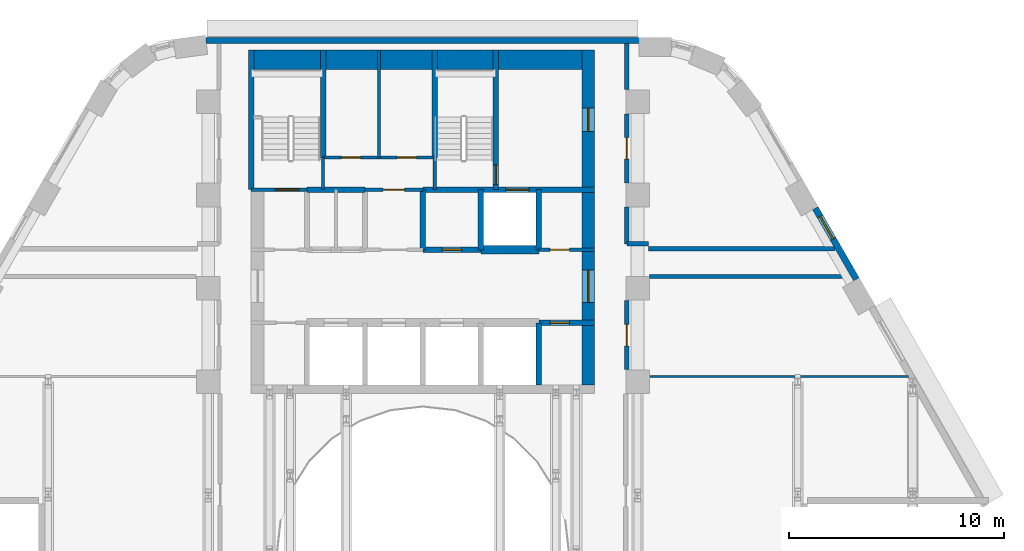
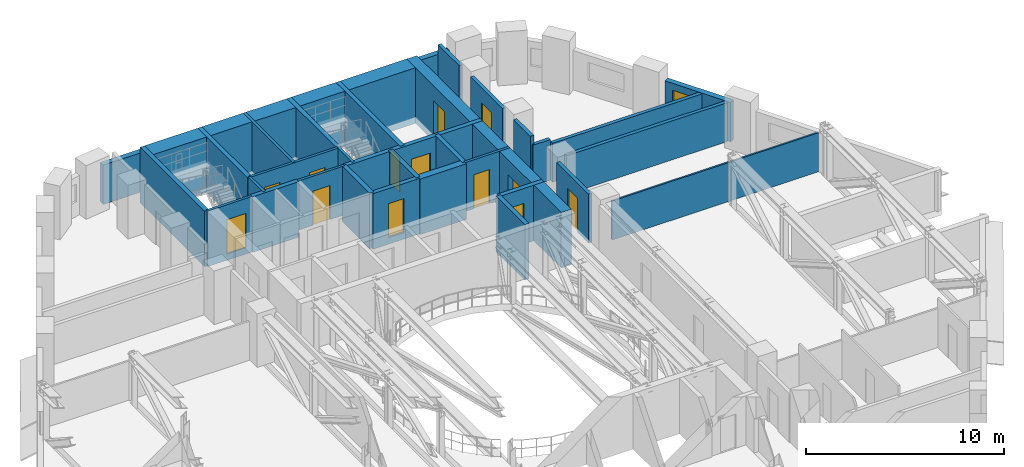
# One storey, part 10 of 18: 32 walls, 13 doors, 1 window, 14 openings.
"""IFC4 building model written with IfcOpenShell, lengths in metres."""

import ifcopenshell
import ifcopenshell.guid

model = None  # the IFC model being written
_history = None  # IfcOwnerHistory: only IFC2X3 demands one
_inside = {}  # id of a spatial element -> (the spatial element, [elements in it])
_under = {}  # id of a project, library or spatial element -> (it, [spatial elements below it])
_declared = {}  # id of a project -> (the project, [libraries it declares])
_typed = {}  # id of a type object -> (the type object, [elements of that type])
_made_of = {}  # id of a material, layer set ... -> (it, [elements and type objects made of it])


def new_model(schema):
    """Start an empty IFC model of exactly this schema.

    Asked for "IFC4X3", IfcOpenShell would pick the latest addendum, in which some entities
    have other attributes; the version numbers below select the first issue.
    IFC2X3 requires an IfcOwnerHistory on every rooted entity: one is made here for all.
    """
    global model, _history
    if schema == "IFC4X3":
        model = ifcopenshell.file(schema_version=(4, 3, 0, 0))
    else:
        model = ifcopenshell.file(schema=schema)
    _inside.clear()
    _under.clear()
    _declared.clear()
    _typed.clear()
    _made_of.clear()
    _history = None
    if model.schema == "IFC2X3":
        org = make("IfcOrganization", Name="unknown")
        user = make(
            "IfcPersonAndOrganization",
            ThePerson=make("IfcPerson", FamilyName="unknown"),
            TheOrganization=org,
        )
        app = make(
            "IfcApplication",
            ApplicationDeveloper=org,
            Version="unknown",
            ApplicationFullName="unknown",
            ApplicationIdentifier="unknown",
        )
        _history = make(
            "IfcOwnerHistory",
            OwningUser=user,
            OwningApplication=app,
            ChangeAction="ADDED",
            CreationDate=0,
        )
    return model


def make(cls, **values):
    """One entity of the class cls with the attributes given. An attribute that is None is left unset."""
    return model.create_entity(
        cls, **{name: value for name, value in values.items() if value is not None}
    )


def rooted(cls, **values):
    """An entity with a GlobalId (a new one), such as an element, a storey or a relation."""
    return make(cls, GlobalId=ifcopenshell.guid.new(), OwnerHistory=_history, **values)


def si_unit(unit_type, name, prefix=None):
    """IfcSIUnit, for example si_unit("LENGTHUNIT", "METRE", prefix="MILLI")."""
    return make("IfcSIUnit", UnitType=unit_type, Prefix=prefix, Name=name)


def assignment(units):
    """IfcUnitAssignment: the units of a project."""
    return None if units is None else make("IfcUnitAssignment", Units=units)


def point(xyz):
    """IfcCartesianPoint."""
    return None if xyz is None else make("IfcCartesianPoint", Coordinates=xyz)


def direction(xyz):
    """IfcDirection."""
    return None if xyz is None else make("IfcDirection", DirectionRatios=xyz)


def frame(location, z_axis=None, x_axis=None):
    """IfcAxis2Placement3D, a coordinate frame: its origin and axes. An axis left out is left unset."""
    return make(
        "IfcAxis2Placement3D",
        Location=point(location),
        Axis=direction(z_axis),
        RefDirection=direction(x_axis),
    )


def frame_2d(location, x_axis=None):
    """IfcAxis2Placement2D, a coordinate frame in the plane: its origin and x axis."""
    return make(
        "IfcAxis2Placement2D", Location=point(location), RefDirection=direction(x_axis)
    )


def origin():
    """The frame at (0, 0, 0) with its axes left unset."""
    return frame((0.0, 0.0, 0.0))


def place(relative_to, where):
    """IfcLocalPlacement: puts the frame where relative to a parent placement (None: the world)."""
    return make(
        "IfcLocalPlacement", PlacementRelTo=relative_to, RelativePlacement=where
    )


def context(
    kind, dimensions, precision=None, world=None, true_north=None, identifier=None
):
    """IfcGeometricRepresentationContext, for example the 3D "Model" context."""
    return make(
        "IfcGeometricRepresentationContext",
        ContextIdentifier=identifier,
        ContextType=kind,
        CoordinateSpaceDimension=dimensions,
        Precision=precision,
        WorldCoordinateSystem=world,
        TrueNorth=true_north,
    )


def subcontext(parent, identifier, kind, view, scale=None):
    """IfcGeometricRepresentationSubContext, for example "Body" below "Model"."""
    return make(
        "IfcGeometricRepresentationSubContext",
        ContextIdentifier=identifier,
        ContextType=kind,
        ParentContext=parent,
        TargetScale=scale,
        TargetView=view,
    )


def project(units=None, contexts=None):
    """IfcProject with its units and contexts."""
    return rooted(
        "IfcProject",
        Name="project",
        RepresentationContexts=contexts,
        UnitsInContext=assignment(units),
    )


def spatial(cls, under=None, at=None, **own):
    """A site, building, storey or space (cls), placed at a placement, below another one or the project."""
    s = rooted(cls, ObjectPlacement=at, **own)
    if under is not None:
        _under.setdefault(under.id(), (under, []))[1].append(s)
    return s


def profile(cls, at=None, kind="AREA", **sizes):
    """A parametric profile (cls). Its sizes go by their IFC names, for example OverallWidth=200.0."""
    return make(cls, ProfileType=kind, Position=at, **sizes)


def rectangle(**sizes):
    """IfcRectangleProfileDef."""
    return profile("IfcRectangleProfileDef", **sizes)


def extrude(swept, where, along, depth):
    """IfcExtrudedAreaSolid: the profile swept, set in the frame where, extruded along a direction by depth."""
    return make(
        "IfcExtrudedAreaSolid",
        SweptArea=swept,
        Position=where,
        ExtrudedDirection=direction(along),
        Depth=depth,
    )


def shape(context_of_items, identifier, shape_type, items):
    """IfcShapeRepresentation: the items that make up one representation, for example the "Body"."""
    return make(
        "IfcShapeRepresentation",
        ContextOfItems=context_of_items,
        RepresentationIdentifier=identifier,
        RepresentationType=shape_type,
        Items=items,
    )


def material(Name=None, Category=None):
    """IfcMaterial."""
    return make("IfcMaterial", Name=Name, Category=Category)


def layer(
    of_material, thickness, ventilated=None, Name=None, Category=None, Priority=None
):
    """IfcMaterialLayer: one layer of a wall or slab, of a material (None: an air gap)."""
    return make(
        "IfcMaterialLayer",
        Material=of_material,
        LayerThickness=thickness,
        IsVentilated=ventilated,
        Name=Name,
        Category=Category,
        Priority=Priority,
    )


def layer_set(layers, Name=None):
    """IfcMaterialLayerSet."""
    return make("IfcMaterialLayerSet", MaterialLayers=layers, LayerSetName=Name)


def made_of(thing, what):
    """Note that an element or type object is made of a material, layer set ...; save() writes the relation."""
    if what is not None:
        _made_of.setdefault(what.id(), (what, []))[1].append(thing)
    return thing


def type_object(cls, material=None, **own):
    """A type object (cls), such as IfcWallType, which elements share."""
    return made_of(rooted(cls, **own), material)


def element(
    cls,
    number,
    at=None,
    inside=None,
    cuts=None,
    type_object=None,
    material=None,
    context=None,
    identifier="Body",
    shape_type=None,
    held_by="IfcProductDefinitionShape",
    body=None,
    shapes=None,
    **own,
):
    """One element of the class cls, such as IfcWall. Its Tag is "e" and its number.

    at: its placement. inside: the storey or other place that contains it. cuts: it is an
    opening in that element (IfcRelVoidsElement). A single representation is given by context,
    identifier, shape_type and body (its items); several are given by shapes. held_by: the class
    of the entity that holds the representations. save() writes the other relations.
    """
    e = rooted(cls, Tag="e%d" % number, ObjectPlacement=at, **own)
    if body is not None:
        shapes = [shape(context, identifier, shape_type, body)]
    if shapes is not None:
        e.Representation = make(held_by, Representations=shapes)
    if inside is not None:
        _inside.setdefault(inside.id(), (inside, []))[1].append(e)
    if cuts is not None:
        rooted(
            "IfcRelVoidsElement", RelatingBuildingElement=cuts, RelatedOpeningElement=e
        )
    if type_object is not None:
        _typed.setdefault(type_object.id(), (type_object, []))[1].append(e)
    return made_of(e, material)


def fill(opening, filler):
    """IfcRelFillsElement: the door or window that sits in an opening."""
    return rooted(
        "IfcRelFillsElement",
        RelatingOpeningElement=opening,
        RelatedBuildingElement=filler,
    )


def aggregate(whole, parts):
    """IfcRelAggregates: a whole, such as a stair, and the parts it consists of."""
    return rooted("IfcRelAggregates", RelatingObject=whole, RelatedObjects=parts)


def save(model, path):
    """Write the relations noted so far, then the file.

    IfcRelAggregates (storeys below a building ...), IfcRelContainedInSpatialStructure (elements
    in a storey), IfcRelDefinesByType, IfcRelAssociatesMaterial and IfcRelDeclares: one each for
    every whole, place, type object, material and project.
    """
    for whole, parts in _under.values():
        aggregate(whole, parts)
    for where, things in _inside.values():
        rooted(
            "IfcRelContainedInSpatialStructure",
            RelatedElements=things,
            RelatingStructure=where,
        )
    for kind, things in _typed.values():
        rooted("IfcRelDefinesByType", RelatedObjects=things, RelatingType=kind)
    for what, things in _made_of.values():
        rooted("IfcRelAssociatesMaterial", RelatedObjects=things, RelatingMaterial=what)
    for by, libraries in _declared.values():
        rooted("IfcRelDeclares", RelatingContext=by, RelatedDefinitions=libraries)
    model.write(path)


model = new_model("IFC4")

# Units and contexts
model_context = context("Model", 3, precision=1e-05, world=origin(), true_north=direction((0.0, 1.0)))
body_context = subcontext(model_context, "Body", "Model", "MODEL_VIEW")
ifc_project = project(units=[si_unit("LENGTHUNIT", "METRE"), si_unit("AREAUNIT", "SQUARE_METRE"), si_unit("VOLUMEUNIT", "CUBIC_METRE"), si_unit("PLANEANGLEUNIT", "RADIAN"), si_unit("MASSUNIT", "GRAM", prefix="KILO")], contexts=[model_context])

# Site, building, storey
site_placement = place(None, origin())
site = spatial("IfcSite", under=ifc_project, at=site_placement, CompositionType="ELEMENT")
building_placement = place(site_placement, origin())
building = spatial("IfcBuilding", under=site, at=building_placement, Name="Nakaniwa Court", CompositionType="ELEMENT")
storey_placement = place(building_placement, frame((0.0, 0.0, 38.10009765625)))
storey = spatial("IfcBuildingStorey", under=building, at=storey_placement, Name="L09", CompositionType="ELEMENT", Elevation=38.10009765625)

# Wall, opening, door
ifc_material_1 = material(Name="Acoustic double stud partition")
ifc_layer_1 = layer(ifc_material_1, 0.199951171875)
ifc_layer_set_1 = layer_set([ifc_layer_1], Name="Acoustic double stud partition")
wall_type_1 = type_object("IfcWallType", Name="Acoustic double stud partition 200", PredefinedType="PARTITIONING", material=ifc_layer_set_1)
wall_1_placement = place(storey_placement, frame((89.5, 91.73291015625, 0.0), z_axis=(0.0, 0.0, 1.0), x_axis=(0.0, -1.0, 0.0)))
wall_1 = element("IfcWall", 1, at=wall_1_placement, inside=storey, type_object=wall_type_1, Name="Partition PW-074", PredefinedType="PARTITIONING", context=body_context, shape_type="SweptSolid", body=[
    extrude(rectangle(XDim=3.2158203125, YDim=0.199951171875, at=frame_2d((1.60791015625, 0.0))), origin(), (0.0, 0.0, 1.0), 3.02490234375),
])
opening_1_placement = place(wall_1_placement, frame((1.10791015625, 0.0, 0.0)))
opening_1 = element("IfcOpeningElement", 2, at=opening_1_placement, cuts=wall_1, Name="Opening D-02-03", PredefinedType="OPENING", context=body_context, shape_type="SweptSolid", body=[
    extrude(rectangle(XDim=1.0, YDim=2.10009765625, at=frame_2d((0.5, 1.050048828125))), frame((0.0, 0.10986328125, 0.0), z_axis=(0.0, -1.0, 0.0), x_axis=(1.0, 0.0, 0.0)), (0.0, 0.0, 1.0), 0.219970703125),
])
ifc_material_2 = material(Name="Solid core timber door set, black veneer", Category="wood")
door_type_1 = type_object("IfcDoorType", Name="Internal door 1000", OperationType="NOTDEFINED", PredefinedType="DOOR", material=ifc_material_2)
door_1_placement = place(opening_1_placement, origin())
door_1 = element("IfcDoor", 3, at=door_1_placement, inside=storey, type_object=door_type_1, Name="Door D-02-03 L09-033", OperationType="SINGLE_SWING_RIGHT", OverallHeight=2.10009765625, OverallWidth=1.0, PredefinedType="DOOR", context=body_context, shape_type="SweptSolid", body=[
    extrude(rectangle(XDim=1.0, YDim=2.10009765625, at=frame_2d((0.5, 1.050048828125))), frame((0.0, 0.02490234375, 0.0), z_axis=(0.0, -1.0, 0.0), x_axis=(1.0, 0.0, 0.0)), (0.0, 0.0, 1.0), 0.050048828125),
])
fill(opening_1, door_1)

# Wall
wall_2_placement = place(storey_placement, frame((89.5, 94.3720703125, 0.0), z_axis=(0.0, 0.0, 1.0), x_axis=(0.0, 1.0, 0.0)))
element("IfcWall", 4, at=wall_2_placement, inside=storey, type_object=wall_type_1, Name="Partition PW-075", PredefinedType="PARTITIONING", context=body_context, shape_type="SweptSolid", body=[
    extrude(rectangle(XDim=1.7109375, YDim=0.199951171875, at=frame_2d((0.85546875, 0.0))), origin(), (0.0, 0.0, 1.0), 3.02490234375),
])

# Wall, opening, door
wall_3_placement = place(storey_placement, frame((89.5, 100.43310546875, 0.0), z_axis=(0.0, 0.0, 1.0), x_axis=(0.0, -1.0, 0.0)))
wall_3 = element("IfcWall", 5, at=wall_3_placement, inside=storey, type_object=wall_type_1, Name="Partition PW-076", PredefinedType="PARTITIONING", context=body_context, shape_type="SweptSolid", body=[
    extrude(rectangle(XDim=3.216064453125, YDim=0.199951171875, at=frame_2d((1.60791015625, 0.0))), origin(), (0.0, 0.0, 1.0), 3.02490234375),
])
opening_2_placement = place(wall_3_placement, frame((1.10791015625, 0.0, 0.0)))
opening_2 = element("IfcOpeningElement", 6, at=opening_2_placement, cuts=wall_3, Name="Opening D-02-04", PredefinedType="OPENING", context=body_context, shape_type="SweptSolid", body=[
    extrude(rectangle(XDim=1.0, YDim=2.10009765625, at=frame_2d((0.5, 1.050048828125))), frame((0.0, 0.10986328125, 0.0), z_axis=(0.0, -1.0, 0.0), x_axis=(1.0, 0.0, 0.0)), (0.0, 0.0, 1.0), 0.219970703125),
])
door_2_placement = place(opening_2_placement, origin())
door_2 = element("IfcDoor", 7, at=door_2_placement, inside=storey, type_object=door_type_1, Name="Door D-02-04 L09-034", OperationType="SINGLE_SWING_LEFT", OverallHeight=2.10009765625, OverallWidth=1.0, PredefinedType="DOOR", context=body_context, shape_type="SweptSolid", body=[
    extrude(rectangle(XDim=1.0, YDim=2.10009765625, at=frame_2d((0.5, 1.050048828125))), frame((0.0, 0.02490234375, 0.0), z_axis=(0.0, -1.0, 0.0), x_axis=(1.0, 0.0, 0.0)), (0.0, 0.0, 1.0), 0.050048828125),
])
fill(opening_2, door_2)

# Walls
wall_4_placement = place(storey_placement, frame((89.5, 101.56689453125, 0.0), z_axis=(0.0, 0.0, 1.0), x_axis=(0.0, 1.0, 0.0)))
element("IfcWall", 8, at=wall_4_placement, inside=storey, type_object=wall_type_1, Name="Partition PW-077", PredefinedType="PARTITIONING", context=body_context, shape_type="SweptSolid", body=[
    extrude(rectangle(XDim=2.133056640625, YDim=0.199951171875, at=frame_2d((1.06640625, 0.0))), origin(), (0.0, 0.0, 1.0), 3.02490234375),
])
wall_5_placement = place(storey_placement, frame((90.56689453125, 92.85009765625, 0.0), z_axis=(0.0, 0.0, 1.0), x_axis=(1.0, 0.0, 0.0)))
element("IfcWall", 9, at=wall_5_placement, inside=storey, type_object=wall_type_1, Name="Partition PW-080", PredefinedType="PARTITIONING", context=body_context, shape_type="SweptSolid", body=[
    extrude(rectangle(XDim=9.380615234375, YDim=0.199951171875, at=frame_2d((4.6904296875, 0.0))), origin(), (0.0, 0.0, 1.0), 2.40478515625),
])
wall_6_placement = place(storey_placement, frame((89.5, 94.375, 0.0), z_axis=(0.0, 0.0, 1.0), x_axis=(1.0, 0.0, 0.0)))
element("IfcWall", 10, at=wall_6_placement, inside=storey, type_object=wall_type_1, Name="Partition PW-082", PredefinedType="PARTITIONING", context=body_context, shape_type="SweptSolid", body=[
    extrude(rectangle(XDim=1.0, YDim=0.199951171875, at=frame_2d((0.5, 0.0))), origin(), (0.0, 0.0, 1.0), 2.5048828125),
])
wall_7_placement = place(storey_placement, frame((90.5, 94.14990234375, 0.0), z_axis=(0.0, 0.0, 1.0), x_axis=(1.0, 0.0, 0.0)))
element("IfcWall", 11, at=wall_7_placement, inside=storey, type_object=wall_type_1, Name="Partition PW-084", PredefinedType="PARTITIONING", context=body_context, shape_type="SweptSolid", body=[
    extrude(rectangle(XDim=8.697021484375, YDim=0.199951171875, at=frame_2d((4.3486328125, 0.0))), origin(), (0.0, 0.0, 1.0), 2.40478515625),
])

# Wall, opening, window
ifc_material_3 = material(Name="Charcoal ceramic cladding")
ifc_layer_2 = layer(ifc_material_3, 0.02, Name="Ceramic cladding")
ifc_material_4 = material(Name="Ventilated air cavity")
ifc_layer_3 = layer(ifc_material_4, 0.04, ventilated=True, Name="Ventilated cavity")
ifc_material_5 = material(Name="Mineral wool insulation")
ifc_layer_4 = layer(ifc_material_5, 0.1, Name="Insulation")
ifc_material_6 = material(Name="Cement bonded sheathing board")
ifc_layer_5 = layer(ifc_material_6, 0.012, Name="Sheathing")
ifc_material_7 = material(Name="Cold-formed galvanised stud frame with mineral wool infill")
ifc_layer_6 = layer(ifc_material_7, 0.1, Name="Stud frame")
ifc_material_8 = material(Name="Fire-rated gypsum plasterboard lining")
ifc_layer_7 = layer(ifc_material_8, 0.028, Name="Lining")
ifc_layer_set_2 = layer_set([ifc_layer_2, ifc_layer_3, ifc_layer_4, ifc_layer_5, ifc_layer_6, ifc_layer_7], Name="Charcoal ceramic faced external wall system")
wall_type_2 = type_object("IfcWallType", Name="Black ceramic faced external wall 300", PredefinedType="SOLIDWALL", material=ifc_layer_set_2)
wall_8_placement = place(storey_placement, frame((100.1953125, 92.720703125, 0.0), z_axis=(0.0, 0.0, 1.0), x_axis=(-0.500001735503, 0.866024401789, 0.0)))
wall_8 = element("IfcWall", 12, at=wall_8_placement, inside=storey, type_object=wall_type_2, Name="L09 external wall 00", PredefinedType="SOLIDWALL", context=body_context, shape_type="SweptSolid", body=[
    extrude(rectangle(XDim=3.833984375, YDim=0.300048828125, at=frame_2d((1.9169921875, 0.0))), origin(), (0.0, 0.0, 1.0), 2.4248046875),
])
opening_3_placement = place(wall_8_placement, frame((2.17919921875, 0.0, 0.89990234375)))
opening_3 = element("IfcOpeningElement", 13, at=opening_3_placement, cuts=wall_8, Name="Opening W6.01", PredefinedType="OPENING", context=body_context, shape_type="SweptSolid", body=[
    extrude(rectangle(XDim=1.199951171875, YDim=1.10009765625, at=frame_2d((0.60009765625, 0.550048828125))), frame((0.0, 0.159912109375, 0.0), z_axis=(0.0, -1.0, 0.0), x_axis=(1.0, 0.0, 0.0)), (0.0, 0.0, 1.0), 0.320068359375),
])
ifc_material_9 = material(Name="Black anodised aluminium frame with dark low-E laminated double glazing", Category="aluminium")
window_type = type_object("IfcWindowType", Name="Dark glass window 1200x1100 sill 900", PartitioningType="SINGLE_PANEL", PredefinedType="WINDOW", material=ifc_material_9)
window_placement = place(opening_3_placement, origin())
window = element("IfcWindow", 14, at=window_placement, inside=storey, type_object=window_type, Name="L09 habitable room window 00-2", OverallHeight=1.10009765625, OverallWidth=1.199951171875, PartitioningType="SINGLE_PANEL", PredefinedType="WINDOW", context=body_context, shape_type="SweptSolid", body=[
    extrude(rectangle(XDim=1.199951171875, YDim=1.10009765625, at=frame_2d((0.60009765625, 0.550048828125))), frame((0.0, 0.030029296875, 0.0), z_axis=(0.0, -1.0, 0.0), x_axis=(1.0, 0.0, 0.0)), (0.0, 0.0, 1.0), 0.06005859375),
])
fill(opening_3, window)

# Wall
wall_9_placement = place(storey_placement, frame((90.07861328125, 103.85009765625, 0.0), z_axis=(0.0, 0.0, 1.0), x_axis=(-1.0, 0.0, 0.0)))
element("IfcWall", 15, at=wall_9_placement, inside=storey, type_object=wall_type_2, Name="L09 external wall 04", PredefinedType="SOLIDWALL", context=body_context, shape_type="SweptSolid", body=[
    extrude(rectangle(XDim=20.1904296875, YDim=0.300048828125, at=frame_2d((10.09521484375, 0.0))), origin(), (0.0, 0.0, 1.0), 2.4248046875),
])

# Wall, opening, door
ifc_material_10 = material(Name="Blockwork partition", Category="masonry")
ifc_layer_8 = layer(ifc_material_10, 0.14990234375)
ifc_layer_set_3 = layer_set([ifc_layer_8], Name="Blockwork partition")
wall_type_3 = type_object("IfcWallType", Name="Blockwork partition 150", PredefinedType="PARTITIONING", material=ifc_layer_set_3)
wall_10_placement = place(storey_placement, frame((85.39697265625, 94.10009765625, 0.0), z_axis=(0.0, 0.0, 1.0), x_axis=(1.0, 0.0, 0.0)))
wall_10 = element("IfcWall", 16, at=wall_10_placement, inside=storey, type_object=wall_type_3, Name="Partition PW-018", PredefinedType="PARTITIONING", context=body_context, shape_type="SweptSolid", body=[
    extrude(rectangle(XDim=2.60302734375, YDim=0.14990234375, at=frame_2d((1.301513671875, 0.0))), origin(), (0.0, 0.0, 1.0), 3.02490234375),
])
opening_4_placement = place(wall_10_placement, frame((0.528076171875, 0.0, 0.0)))
opening_4 = element("IfcOpeningElement", 17, at=opening_4_placement, cuts=wall_10, Name="Opening D-05-06", PredefinedType="OPENING", context=body_context, shape_type="SweptSolid", body=[
    extrude(rectangle(XDim=0.89990234375, YDim=2.10009765625, at=frame_2d((0.449951171875, 1.050048828125))), frame((0.0, 0.0849609375, 0.0), z_axis=(0.0, -1.0, 0.0), x_axis=(1.0, 0.0, 0.0)), (0.0, 0.0, 1.0), 0.169921875),
])
ifc_material_11 = material(Name="Fire rated steel door set", Category="steel")
door_type_2 = type_object("IfcDoorType", Name="Service room door 900", OperationType="NOTDEFINED", PredefinedType="DOOR", material=ifc_material_11)
door_3_placement = place(opening_4_placement, origin())
door_3 = element("IfcDoor", 18, at=door_3_placement, inside=storey, type_object=door_type_2, Name="Door D-05-06 L09-008", OperationType="SINGLE_SWING_LEFT", OverallHeight=2.10009765625, OverallWidth=0.89990234375, PredefinedType="DOOR", context=body_context, shape_type="SweptSolid", body=[
    extrude(rectangle(XDim=0.89990234375, YDim=2.10009765625, at=frame_2d((0.449951171875, 1.050048828125))), frame((0.0, 0.02490234375, 0.0), z_axis=(0.0, -1.0, 0.0), x_axis=(1.0, 0.0, 0.0)), (0.0, 0.0, 1.0), 0.050048828125),
])
fill(opening_4, door_3)

wall_11_placement = place(storey_placement, frame((77.300048828125, 96.89990234375, 0.0), z_axis=(0.0, 0.0, 1.0), x_axis=(1.0, 0.0, 0.0)))
wall_11 = element("IfcWall", 19, at=wall_11_placement, inside=storey, type_object=wall_type_3, Name="Partition PW-026", PredefinedType="PARTITIONING", context=body_context, shape_type="SweptSolid", body=[
    extrude(rectangle(XDim=2.699951171875, YDim=0.14990234375, at=frame_2d((1.35009765625, 0.0))), origin(), (0.0, 0.0, 1.0), 3.02490234375),
])
opening_5_placement = place(wall_11_placement, frame((0.85009765625, 0.0, 0.0)))
opening_5 = element("IfcOpeningElement", 20, at=opening_5_placement, cuts=wall_11, Name="Opening D-23-01", PredefinedType="OPENING", context=body_context, shape_type="SweptSolid", body=[
    extrude(rectangle(XDim=1.0, YDim=2.10009765625, at=frame_2d((0.5, 1.050048828125))), frame((0.0, 0.0849609375, 0.0), z_axis=(0.0, -1.0, 0.0), x_axis=(1.0, 0.0, 0.0)), (0.0, 0.0, 1.0), 0.169921875),
])
door_type_3 = type_object("IfcDoorType", Name="Service room door 1000", OperationType="NOTDEFINED", PredefinedType="DOOR", material=ifc_material_11)
door_4_placement = place(opening_5_placement, origin())
door_4 = element("IfcDoor", 21, at=door_4_placement, inside=storey, type_object=door_type_3, Name="Door D-23-01 L09-009", OperationType="SINGLE_SWING_RIGHT", OverallHeight=2.10009765625, OverallWidth=1.0, PredefinedType="DOOR", context=body_context, shape_type="SweptSolid", body=[
    extrude(rectangle(XDim=1.0, YDim=2.10009765625, at=frame_2d((0.5, 1.050048828125))), frame((0.0, 0.02490234375, 0.0), z_axis=(0.0, -1.0, 0.0), x_axis=(1.0, 0.0, 0.0)), (0.0, 0.0, 1.0), 0.050048828125),
])
fill(opening_5, door_4)

# Wall, openings, doors
wall_12_placement = place(storey_placement, frame((75.35009765625, 98.39990234375, 0.0), z_axis=(0.0, 0.0, 1.0), x_axis=(1.0, 0.0, 0.0)))
wall_12 = element("IfcWall", 22, at=wall_12_placement, inside=storey, type_object=wall_type_3, Name="Partition PW-033", PredefinedType="PARTITIONING", context=body_context, shape_type="SweptSolid", body=[
    extrude(rectangle(XDim=5.199951171875, YDim=0.14990234375, at=frame_2d((2.60009765625, 0.0))), origin(), (0.0, 0.0, 1.0), 3.02490234375),
])
opening_6_placement = place(wall_12_placement, frame((0.85009765625, 0.0, 0.0)))
opening_6 = element("IfcOpeningElement", 23, at=opening_6_placement, cuts=wall_12, Name="Opening D-05-07", PredefinedType="OPENING", context=body_context, shape_type="SweptSolid", body=[
    extrude(rectangle(XDim=0.89990234375, YDim=2.10009765625, at=frame_2d((0.449951171875, 1.050048828125))), frame((0.0, 0.0849609375, 0.0), z_axis=(0.0, -1.0, 0.0), x_axis=(1.0, 0.0, 0.0)), (0.0, 0.0, 1.0), 0.169921875),
])
opening_7_placement = place(wall_12_placement, frame((3.449951171875, 0.0, 0.0)))
opening_7 = element("IfcOpeningElement", 24, at=opening_7_placement, cuts=wall_12, Name="Opening D-05-08", PredefinedType="OPENING", context=body_context, shape_type="SweptSolid", body=[
    extrude(rectangle(XDim=0.89990234375, YDim=2.10009765625, at=frame_2d((0.449951171875, 1.050048828125))), frame((0.0, 0.0849609375, 0.0), z_axis=(0.0, -1.0, 0.0), x_axis=(1.0, 0.0, 0.0)), (0.0, 0.0, 1.0), 0.169921875),
])
door_5_placement = place(opening_6_placement, origin())
door_5 = element("IfcDoor", 25, at=door_5_placement, inside=storey, type_object=door_type_2, Name="Door D-05-07 L09-010", OperationType="SINGLE_SWING_LEFT", OverallHeight=2.10009765625, OverallWidth=0.89990234375, PredefinedType="DOOR", context=body_context, shape_type="SweptSolid", body=[
    extrude(rectangle(XDim=0.89990234375, YDim=2.10009765625, at=frame_2d((0.449951171875, 1.050048828125))), frame((0.0, 0.02490234375, 0.0), z_axis=(0.0, -1.0, 0.0), x_axis=(1.0, 0.0, 0.0)), (0.0, 0.0, 1.0), 0.050048828125),
])
fill(opening_6, door_5)
door_6_placement = place(opening_7_placement, origin())
door_6 = element("IfcDoor", 26, at=door_6_placement, inside=storey, type_object=door_type_2, Name="Door D-05-08 L09-011", OperationType="SINGLE_SWING_RIGHT", OverallHeight=2.10009765625, OverallWidth=0.89990234375, PredefinedType="DOOR", context=body_context, shape_type="SweptSolid", body=[
    extrude(rectangle(XDim=0.89990234375, YDim=2.10009765625, at=frame_2d((0.449951171875, 1.050048828125))), frame((0.0, 0.02490234375, 0.0), z_axis=(0.0, -1.0, 0.0), x_axis=(1.0, 0.0, 0.0)), (0.0, 0.0, 1.0), 0.050048828125),
])
fill(opening_7, door_6)

# Wall
wall_13_placement = place(storey_placement, frame((77.949951171875, 98.39990234375, 0.0), z_axis=(0.0, 0.0, 1.0), x_axis=(0.0, 1.0, 0.0)))
element("IfcWall", 27, at=wall_13_placement, inside=storey, type_object=wall_type_3, Name="Partition PW-034", PredefinedType="PARTITIONING", context=body_context, shape_type="SweptSolid", body=[
    extrude(rectangle(XDim=5.0, YDim=0.14990234375, at=frame_2d((2.5, 0.0))), origin(), (0.0, 0.0, 1.0), 3.02490234375),
])

# Wall, openings, doors
ifc_material_12 = material(Name="Concrete C100/115", Category="concrete")
ifc_layer_9 = layer(ifc_material_12, 0.60009765625)
ifc_layer_set_4 = layer_set([ifc_layer_9], Name="Concrete C100/115")
wall_type_4 = type_object("IfcWallType", Name="Concrete core side wall 600 C100", PredefinedType="SHEAR", material=ifc_layer_set_4)
wall_14_placement = place(storey_placement, frame((87.699951171875, 103.39990234375, -0.400146484375), z_axis=(0.0, 0.0, 1.0), x_axis=(0.0, -1.0, 0.0)))
wall_14 = element("IfcWall", 28, at=wall_14_placement, inside=storey, type_object=wall_type_4, Name="Core wall SW-15", PredefinedType="SHEAR", context=body_context, shape_type="SweptSolid", body=[
    extrude(rectangle(XDim=15.599853515625, YDim=0.60009765625, at=frame_2d((7.7998046875, 0.0))), origin(), (0.0, 0.0, 1.0), 3.425048828125),
])
opening_8_placement = place(wall_14_placement, frame((10.25, 0.0, 0.39990234375)))
opening_8 = element("IfcOpeningElement", 29, at=opening_8_placement, cuts=wall_14, Name="Opening D-07-01", PredefinedType="OPENING", context=body_context, shape_type="SweptSolid", body=[
    extrude(rectangle(XDim=1.5, YDim=2.10009765625, at=frame_2d((0.75, 1.050048828125))), frame((0.0, 0.31005859375, 0.0), z_axis=(0.0, -1.0, 0.0), x_axis=(1.0, 0.0, 0.0)), (0.0, 0.0, 1.0), 0.6201171875),
])
opening_9_placement = place(wall_14_placement, frame((2.699951171875, 0.0, 0.39990234375)))
opening_9 = element("IfcOpeningElement", 30, at=opening_9_placement, cuts=wall_14, Name="Opening D-10-01", PredefinedType="OPENING", context=body_context, shape_type="SweptSolid", body=[
    extrude(rectangle(XDim=1.10009765625, YDim=2.10009765625, at=frame_2d((0.550048828125, 1.050048828125))), frame((0.0, 0.31005859375, 0.0), z_axis=(0.0, -1.0, 0.0), x_axis=(1.0, 0.0, 0.0)), (0.0, 0.0, 1.0), 0.6201171875),
])
door_type_4 = type_object("IfcDoorType", Name="Firefighting lobby door 1100", OperationType="NOTDEFINED", PredefinedType="DOOR", material=ifc_material_11)
door_7_placement = place(opening_9_placement, origin())
door_7 = element("IfcDoor", 31, at=door_7_placement, inside=storey, type_object=door_type_4, Name="Door D-10-01 L09-044", OperationType="SINGLE_SWING_LEFT", OverallHeight=2.10009765625, OverallWidth=1.10009765625, PredefinedType="DOOR", context=body_context, shape_type="SweptSolid", body=[
    extrude(rectangle(XDim=1.10009765625, YDim=2.10009765625, at=frame_2d((0.550048828125, 1.050048828125))), frame((0.0, 0.02490234375, 0.0), z_axis=(0.0, -1.0, 0.0), x_axis=(1.0, 0.0, 0.0)), (0.0, 0.0, 1.0), 0.050048828125),
])
fill(opening_9, door_7)
ifc_material_13 = material(Name="Glazed fire rated steel double door set", Category="steel")
door_type_5 = type_object("IfcDoorType", Name="Lobby double door 1500", OperationType="NOTDEFINED", PredefinedType="DOOR", material=ifc_material_13)
door_8_placement = place(opening_8_placement, origin())
door_8 = element("IfcDoor", 32, at=door_8_placement, inside=storey, type_object=door_type_5, Name="Door D-07-01 L09-042", OperationType="DOUBLE_DOOR_SINGLE_SWING", OverallHeight=2.10009765625, OverallWidth=1.5, PredefinedType="DOOR", context=body_context, shape_type="SweptSolid", body=[
    extrude(rectangle(XDim=1.5, YDim=2.10009765625, at=frame_2d((0.75, 1.050048828125))), frame((0.0, 0.02490234375, 0.0), z_axis=(0.0, -1.0, 0.0), x_axis=(1.0, 0.0, 0.0)), (0.0, 0.0, 1.0), 0.050048828125),
])
fill(opening_8, door_8)

# Wall
ifc_layer_10 = layer(ifc_material_12, 0.39990234375)
ifc_layer_set_5 = layer_set([ifc_layer_10], Name="Concrete C100/115")
wall_type_5 = type_object("IfcWallType", Name="Concrete core spine wall 400 C100", PredefinedType="SHEAR", material=ifc_layer_set_5)
wall_15_placement = place(storey_placement, frame((82.697021484375, 94.10009765625, -0.400146484375), z_axis=(0.0, 0.0, 1.0), x_axis=(1.0, 0.0, 0.0)))
element("IfcWall", 33, at=wall_15_placement, inside=storey, type_object=wall_type_5, Name="Core wall SW-21", PredefinedType="SHEAR", context=body_context, shape_type="SweptSolid", body=[
    extrude(rectangle(XDim=2.7060546875, YDim=0.39990234375, at=frame_2d((1.35302734375, 0.0))), origin(), (0.0, 0.0, 1.0), 3.425048828125),
])

# Wall, opening, door
ifc_layer_11 = layer(ifc_material_12, 0.14990234375)
ifc_layer_set_6 = layer_set([ifc_layer_11], Name="Concrete C100/115")
wall_type_6 = type_object("IfcWallType", Name="Concrete core wall 150 C100", PredefinedType="SHEAR", material=ifc_layer_set_6)
wall_16_placement = place(storey_placement, frame((74.60009765625, 96.89990234375, -0.400146484375), z_axis=(0.0, 0.0, 1.0), x_axis=(-1.0, 0.0, 0.0)))
wall_16 = element("IfcWall", 34, at=wall_16_placement, inside=storey, type_object=wall_type_6, Name="Core wall SW-22", PredefinedType="SHEAR", context=body_context, shape_type="SweptSolid", body=[
    extrude(rectangle(XDim=2.60009765625, YDim=0.14990234375, at=frame_2d((1.300048828125, 0.0))), origin(), (0.0, 0.0, 1.0), 3.425048828125),
])
opening_10_placement = place(wall_16_placement, frame((0.3701171875, 0.0, 0.39990234375)))
opening_10 = element("IfcOpeningElement", 35, at=opening_10_placement, cuts=wall_16, Name="Opening D-09-01", PredefinedType="OPENING", context=body_context, shape_type="SweptSolid", body=[
    extrude(rectangle(XDim=1.10009765625, YDim=2.10009765625, at=frame_2d((0.550048828125, 1.050048828125))), frame((0.0, 0.0849609375, 0.0), z_axis=(0.0, -1.0, 0.0), x_axis=(1.0, 0.0, 0.0)), (0.0, 0.0, 1.0), 0.169921875),
])
door_type_6 = type_object("IfcDoorType", Name="Stair door 1100", OperationType="NOTDEFINED", PredefinedType="DOOR", material=ifc_material_11)
door_9_placement = place(opening_10_placement, origin())
door_9 = element("IfcDoor", 36, at=door_9_placement, inside=storey, type_object=door_type_6, Name="Door D-09-01 L09-012", OperationType="SINGLE_SWING_RIGHT", OverallHeight=2.10009765625, OverallWidth=1.10009765625, PredefinedType="DOOR", context=body_context, shape_type="SweptSolid", body=[
    extrude(rectangle(XDim=1.10009765625, YDim=2.10009765625, at=frame_2d((0.550048828125, 1.050048828125))), frame((0.0, 0.02490234375, 0.0), z_axis=(0.0, -1.0, 0.0), x_axis=(1.0, 0.0, 0.0)), (0.0, 0.0, 1.0), 0.050048828125),
])
fill(opening_10, door_9)

# Walls
for number, where, z_axis, x_axis, name in (
    (37, (75.35009765625, 96.89990234375, -0.400146484375), (0.0, 0.0, 1.0), (0.0, 1.0, 0.0), "Core wall SW-27"),
    (38, (80.550048828125, 96.89990234375, -0.400146484375), (0.0, 0.0, 1.0), (0.0, 1.0, 0.0), "Core wall SW-31"),
):
    element("IfcWall", number, at=place(storey_placement, frame(where, z_axis=z_axis, x_axis=x_axis)), inside=storey, type_object=wall_type_6, Name=name, PredefinedType="SHEAR", context=body_context, shape_type="SweptSolid", body=[
        extrude(rectangle(XDim=1.503173828125, YDim=0.14990234375, at=frame_2d((0.75146484375, 0.0))), origin(), (0.0, 0.0, 1.0), 3.425048828125),
    ])
ifc_layer_12 = layer(ifc_material_12, 0.25)
ifc_layer_set_7 = layer_set([ifc_layer_12], Name="Concrete C100/115")
wall_type_7 = type_object("IfcWallType", Name="Concrete core wall 250 C100", PredefinedType="SHEAR", material=ifc_layer_set_7)
wall_17_placement = place(storey_placement, frame((72.0, 96.89990234375, -0.400146484375), z_axis=(0.0, 0.0, 1.0), x_axis=(0.0, 1.0, 0.0)))
element("IfcWall", 39, at=wall_17_placement, inside=storey, type_object=wall_type_7, Name="Core wall SW-29", PredefinedType="SHEAR", context=body_context, shape_type="SweptSolid", body=[
    extrude(rectangle(XDim=6.5, YDim=0.25, at=frame_2d((3.25, 0.0))), origin(), (0.0, 0.0, 1.0), 3.425048828125),
])
ifc_layer_13 = layer(ifc_material_12, 0.89990234375)
ifc_layer_set_8 = layer_set([ifc_layer_13], Name="Concrete C100/115")
wall_type_8 = type_object("IfcWallType", Name="Concrete core wall 900 C100", PredefinedType="SHEAR", material=ifc_layer_set_8)
wall_18_placement = place(storey_placement, frame((72.00390625, 102.949951171875, -0.400146484375), z_axis=(0.0, 0.0, 1.0), x_axis=(1.0, 0.0, 0.0)))
element("IfcWall", 40, at=wall_18_placement, inside=storey, type_object=wall_type_8, Name="Core wall SW-111", PredefinedType="SHEAR", context=body_context, shape_type="SweptSolid", body=[
    extrude(rectangle(XDim=15.9921875, YDim=0.89990234375, at=frame_2d((7.99609375, 0.0))), origin(), (0.0, 0.0, 1.0), 3.425048828125),
])
ifc_layer_14 = layer(ifc_material_12, 0.25)
ifc_layer_set_9 = layer_set([ifc_layer_14], Name="Concrete C100/115")
wall_type_9 = type_object("IfcWallType", Name="Concrete shaft wall 250 C100", PredefinedType="SHEAR", material=ifc_layer_set_9)
for number, where, z_axis, x_axis, name in (
    (41, (80.0, 94.10009765625, -0.400146484375), (0.0, 0.0, 1.0), (0.0, 1.0, 0.0), "Core wall SW-09"),
    (42, (82.699951171875, 94.10009765625, -0.400146484375), (0.0, 0.0, 1.0), (0.0, 1.0, 0.0), "Core wall SW-11"),
):
    element("IfcWall", number, at=place(storey_placement, frame(where, z_axis=z_axis, x_axis=x_axis)), inside=storey, type_object=wall_type_9, Name=name, PredefinedType="SHEAR", context=body_context, shape_type="SweptSolid", body=[
        extrude(rectangle(XDim=2.7998046875, YDim=0.25, at=frame_2d((1.39990234375, 0.0))), origin(), (0.0, 0.0, 1.0), 3.425048828125),
    ])
wall_19_placement = place(storey_placement, frame((85.39990234375, 87.800048828125, -0.400146484375), z_axis=(0.0, 0.0, 1.0), x_axis=(0.0, 1.0, 0.0)))
element("IfcWall", 43, at=wall_19_placement, inside=storey, type_object=wall_type_9, Name="Core wall SW-12", PredefinedType="SHEAR", context=body_context, shape_type="SweptSolid", body=[
    extrude(rectangle(XDim=2.89990234375, YDim=0.25, at=frame_2d((1.449951171875, 0.0))), origin(), (0.0, 0.0, 1.0), 3.425048828125),
])
wall_20_placement = place(storey_placement, frame((85.39990234375, 94.10009765625, -0.400146484375), z_axis=(0.0, 0.0, 1.0), x_axis=(0.0, 1.0, 0.0)))
element("IfcWall", 44, at=wall_20_placement, inside=storey, type_object=wall_type_9, Name="Core wall SW-13", PredefinedType="SHEAR", context=body_context, shape_type="SweptSolid", body=[
    extrude(rectangle(XDim=2.7998046875, YDim=0.25, at=frame_2d((1.39990234375, 0.0))), origin(), (0.0, 0.0, 1.0), 3.425048828125),
])

# Wall, opening, door
wall_21_placement = place(storey_placement, frame((88.0, 90.699951171875, -0.400146484375), z_axis=(0.0, 0.0, 1.0), x_axis=(-1.0, 0.0, 0.0)))
wall_21 = element("IfcWall", 45, at=wall_21_placement, inside=storey, type_object=wall_type_9, Name="Core wall SW-14", PredefinedType="SHEAR", context=body_context, shape_type="SweptSolid", body=[
    extrude(rectangle(XDim=2.60009765625, YDim=0.25, at=frame_2d((1.300048828125, 0.0))), origin(), (0.0, 0.0, 1.0), 3.425048828125),
])
opening_11_placement = place(wall_21_placement, frame((1.175048828125, 0.0, 0.39990234375)))
opening_11 = element("IfcOpeningElement", 46, at=opening_11_placement, cuts=wall_21, Name="Opening D-05-02", PredefinedType="OPENING", context=body_context, shape_type="SweptSolid", body=[
    extrude(rectangle(XDim=0.89990234375, YDim=2.10009765625, at=frame_2d((0.449951171875, 1.050048828125))), frame((0.0, 0.135009765625, 0.0), z_axis=(0.0, -1.0, 0.0), x_axis=(1.0, 0.0, 0.0)), (0.0, 0.0, 1.0), 0.27001953125),
])
door_10_placement = place(opening_11_placement, origin())
door_10 = element("IfcDoor", 47, at=door_10_placement, inside=storey, type_object=door_type_2, Name="Door D-05-02 L09-002", OperationType="SINGLE_SWING_LEFT", OverallHeight=2.10009765625, OverallWidth=0.89990234375, PredefinedType="DOOR", context=body_context, shape_type="SweptSolid", body=[
    extrude(rectangle(XDim=0.89990234375, YDim=2.10009765625, at=frame_2d((0.449951171875, 1.050048828125))), frame((0.0, 0.02490234375, 0.0), z_axis=(0.0, -1.0, 0.0), x_axis=(1.0, 0.0, 0.0)), (0.0, 0.0, 1.0), 0.050048828125),
])
fill(opening_11, door_10)

wall_22_placement = place(storey_placement, frame((79.9970703125, 94.10009765625, -0.400146484375), z_axis=(0.0, 0.0, 1.0), x_axis=(1.0, 0.0, 0.0)))
wall_22 = element("IfcWall", 48, at=wall_22_placement, inside=storey, type_object=wall_type_9, Name="Core wall SW-20", PredefinedType="SHEAR", context=body_context, shape_type="SweptSolid", body=[
    extrude(rectangle(XDim=2.705810546875, YDim=0.25, at=frame_2d((1.35302734375, 0.0))), origin(), (0.0, 0.0, 1.0), 3.425048828125),
])
opening_12_placement = place(wall_22_placement, frame((0.903076171875, 0.0, 0.39990234375)))
opening_12 = element("IfcOpeningElement", 49, at=opening_12_placement, cuts=wall_22, Name="Opening D-05-05", PredefinedType="OPENING", context=body_context, shape_type="SweptSolid", body=[
    extrude(rectangle(XDim=0.89990234375, YDim=2.10009765625, at=frame_2d((0.449951171875, 1.050048828125))), frame((0.0, 0.135009765625, 0.0), z_axis=(0.0, -1.0, 0.0), x_axis=(1.0, 0.0, 0.0)), (0.0, 0.0, 1.0), 0.27001953125),
])
door_11_placement = place(opening_12_placement, origin())
door_11 = element("IfcDoor", 50, at=door_11_placement, inside=storey, type_object=door_type_2, Name="Door D-05-05 L09-007", OperationType="SINGLE_SWING_RIGHT", OverallHeight=2.10009765625, OverallWidth=0.89990234375, PredefinedType="DOOR", context=body_context, shape_type="SweptSolid", body=[
    extrude(rectangle(XDim=0.89990234375, YDim=2.10009765625, at=frame_2d((0.449951171875, 1.050048828125))), frame((0.0, 0.02490234375, 0.0), z_axis=(0.0, -1.0, 0.0), x_axis=(1.0, 0.0, 0.0)), (0.0, 0.0, 1.0), 0.050048828125),
])
fill(opening_12, door_11)

# Wall
wall_23_placement = place(storey_placement, frame((74.60009765625, 96.89990234375, -0.400146484375), z_axis=(0.0, 0.0, 1.0), x_axis=(1.0, 0.0, 0.0)))
element("IfcWall", 51, at=wall_23_placement, inside=storey, type_object=wall_type_9, Name="Core wall SW-24", PredefinedType="SHEAR", context=body_context, shape_type="SweptSolid", body=[
    extrude(rectangle(XDim=2.699951171875, YDim=0.25, at=frame_2d((1.35009765625, 0.0))), origin(), (0.0, 0.0, 1.0), 3.425048828125),
])

# Wall, opening, door
wall_24_placement = place(storey_placement, frame((80.0, 96.89990234375, -0.400146484375), z_axis=(0.0, 0.0, 1.0), x_axis=(1.0, 0.0, 0.0)))
wall_24 = element("IfcWall", 52, at=wall_24_placement, inside=storey, type_object=wall_type_9, Name="Core wall SW-25", PredefinedType="SHEAR", context=body_context, shape_type="SweptSolid", body=[
    extrude(rectangle(XDim=8.0, YDim=0.25, at=frame_2d((4.0, 0.0))), origin(), (0.0, 0.0, 1.0), 3.425048828125),
])
opening_13_placement = place(wall_24_placement, frame((3.84912109375, 0.0, 0.39990234375)))
opening_13 = element("IfcOpeningElement", 53, at=opening_13_placement, cuts=wall_24, Name="Opening LD04", PredefinedType="OPENING", context=body_context, shape_type="SweptSolid", body=[
    extrude(rectangle(XDim=1.10009765625, YDim=2.10009765625, at=frame_2d((0.550048828125, 1.050048828125))), frame((0.0, 0.135009765625, 0.0), z_axis=(0.0, -1.0, 0.0), x_axis=(1.0, 0.0, 0.0)), (0.0, 0.0, 1.0), 0.27001953125),
])
ifc_material_14 = material(Name="Stainless steel sliding lift landing door", Category="steel")
door_type_7 = type_object("IfcDoorType", Name="Lift landing door 1100", OperationType="NOTDEFINED", PredefinedType="DOOR", material=ifc_material_14)
door_12_placement = place(opening_13_placement, origin())
door_12 = element("IfcDoor", 54, at=door_12_placement, inside=storey, type_object=door_type_7, Name="Lift landing door LD04 L09-004", OperationType="SLIDING_TO_LEFT", OverallHeight=2.10009765625, OverallWidth=1.10009765625, PredefinedType="DOOR", context=body_context, shape_type="SweptSolid", body=[
    extrude(rectangle(XDim=1.10009765625, YDim=2.10009765625, at=frame_2d((0.550048828125, 1.050048828125))), frame((0.0, 0.02490234375, 0.0), z_axis=(0.0, -1.0, 0.0), x_axis=(1.0, 0.0, 0.0)), (0.0, 0.0, 1.0), 0.050048828125),
])
fill(opening_13, door_12)

# Wall
wall_25_placement = place(storey_placement, frame((75.35009765625, 98.39697265625, -0.400146484375), z_axis=(0.0, 0.0, 1.0), x_axis=(0.0, 1.0, 0.0)))
element("IfcWall", 55, at=wall_25_placement, inside=storey, type_object=wall_type_9, Name="Core wall SW-28", PredefinedType="SHEAR", context=body_context, shape_type="SweptSolid", body=[
    extrude(rectangle(XDim=5.0029296875, YDim=0.25, at=frame_2d((2.50146484375, 0.0))), origin(), (0.0, 0.0, 1.0), 3.425048828125),
])

# Wall, opening, door
wall_26_placement = place(storey_placement, frame((83.39990234375, 103.39990234375, -0.400146484375), z_axis=(0.0, 0.0, 1.0), x_axis=(0.0, -1.0, 0.0)))
wall_26 = element("IfcWall", 56, at=wall_26_placement, inside=storey, type_object=wall_type_9, Name="Core wall SW-30", PredefinedType="SHEAR", context=body_context, shape_type="SweptSolid", body=[
    extrude(rectangle(XDim=6.5, YDim=0.25, at=frame_2d((3.25, 0.0))), origin(), (0.0, 0.0, 1.0), 3.425048828125),
])
opening_14_placement = place(wall_26_placement, frame((5.35009765625, 0.0, 0.39990234375)))
opening_14 = element("IfcOpeningElement", 57, at=opening_14_placement, cuts=wall_26, Name="Opening D-11-01", PredefinedType="OPENING", context=body_context, shape_type="SweptSolid", body=[
    extrude(rectangle(XDim=0.89990234375, YDim=2.10009765625, at=frame_2d((0.449951171875, 1.050048828125))), frame((0.0, 0.135009765625, 0.0), z_axis=(0.0, -1.0, 0.0), x_axis=(1.0, 0.0, 0.0)), (0.0, 0.0, 1.0), 0.27001953125),
])
door_type_8 = type_object("IfcDoorType", Name="Stair door 900", OperationType="NOTDEFINED", PredefinedType="DOOR", material=ifc_material_11)
door_13_placement = place(opening_14_placement, origin())
door_13 = element("IfcDoor", 58, at=door_13_placement, inside=storey, type_object=door_type_8, Name="Door D-11-01 L09-013", OperationType="SINGLE_SWING_LEFT", OverallHeight=2.10009765625, OverallWidth=0.89990234375, PredefinedType="DOOR", context=body_context, shape_type="SweptSolid", body=[
    extrude(rectangle(XDim=0.89990234375, YDim=2.10009765625, at=frame_2d((0.449951171875, 1.050048828125))), frame((0.0, 0.02490234375, 0.0), z_axis=(0.0, -1.0, 0.0), x_axis=(1.0, 0.0, 0.0)), (0.0, 0.0, 1.0), 0.050048828125),
])
fill(opening_14, door_13)

# Walls
wall_27_placement = place(storey_placement, frame((80.550048828125, 98.39697265625, -0.400146484375), z_axis=(0.0, 0.0, 1.0), x_axis=(0.0, 1.0, 0.0)))
element("IfcWall", 59, at=wall_27_placement, inside=storey, type_object=wall_type_9, Name="Core wall SW-32", PredefinedType="SHEAR", context=body_context, shape_type="SweptSolid", body=[
    extrude(rectangle(XDim=5.0029296875, YDim=0.25, at=frame_2d((2.50146484375, 0.0))), origin(), (0.0, 0.0, 1.0), 3.425048828125),
])
ifc_material_15 = material(Name="Single stud plasterboard partition")
ifc_layer_15 = layer(ifc_material_15, 0.10009765625)
ifc_layer_set_10 = layer_set([ifc_layer_15], Name="Single stud plasterboard partition")
wall_type_10 = type_object("IfcWallType", Name="Single stud plasterboard partition 100", PredefinedType="PARTITIONING", material=ifc_layer_set_10)
wall_28_placement = place(storey_placement, frame((90.570068359375, 88.199951171875, 0.0), z_axis=(0.0, 0.0, 1.0), x_axis=(1.0, 0.0, 0.0)))
element("IfcWall", 60, at=wall_28_placement, inside=storey, type_object=wall_type_10, Name="Partition PW-109", PredefinedType="PARTITIONING", context=body_context, shape_type="SweptSolid", body=[
    extrude(rectangle(XDim=12.06201171875, YDim=0.10009765625, at=frame_2d((6.031005859375, 0.0))), origin(), (0.0, 0.0, 1.0), 2.40478515625),
])

save(model, "model.ifc")
